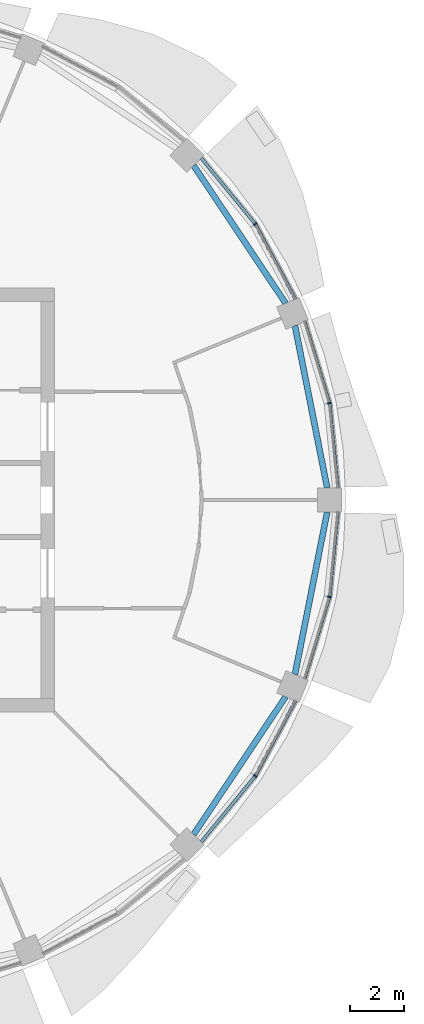
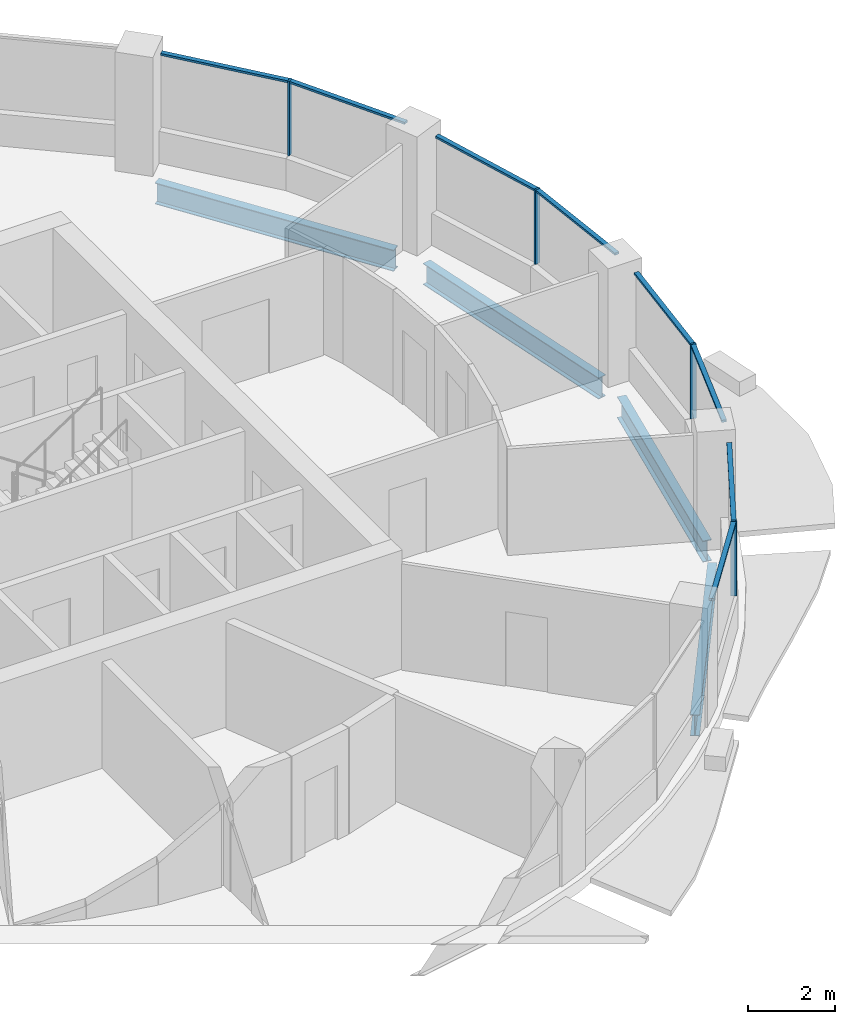
# One storey, part 5 of 15: 12 members, 4 beams, 4 elements without a shape of their own.
"""IFC4 building model written with IfcOpenShell, lengths in metres."""

from ifc_helpers import new_model, si_unit, direction, frame, origin, origin_2d, place, context, subcontext, project, spatial, rectangle, i_section, extrude, material, material_profile, profile_set, type_object, element, aggregate, save


model = new_model("IFC4")

# Units and contexts
model_context = context("Model", 3, precision=1e-05, world=origin(), true_north=direction((0.0, 1.0)))
body_context = subcontext(model_context, "Body", "Model", "MODEL_VIEW")
ifc_project = project(units=[si_unit("LENGTHUNIT", "METRE"), si_unit("AREAUNIT", "SQUARE_METRE"), si_unit("VOLUMEUNIT", "CUBIC_METRE"), si_unit("PLANEANGLEUNIT", "RADIAN"), si_unit("MASSUNIT", "GRAM", prefix="KILO")], contexts=[model_context])

# Site, building, storey
site_placement = place(None, origin())
site = spatial("IfcSite", under=ifc_project, at=site_placement, CompositionType="ELEMENT")
building_placement = place(site_placement, origin())
building = spatial("IfcBuilding", under=site, at=building_placement, Name="Polderwave Tower", CompositionType="ELEMENT")
storey_placement = place(building_placement, frame((0.0, 0.0, 174.25)))
storey = spatial("IfcBuildingStorey", under=building, at=storey_placement, Name="L46", CompositionType="ELEMENT", Elevation=174.25)

# Curtain wall, member
ifc_material_1 = material(Name="Aluminium 6063-T6 and glass", Category="aluminium")
curtain_wall_type = type_object("IfcCurtainWallType", Name="Office ribbon glazing wall", PredefinedType="NOTDEFINED", material=ifc_material_1)
curtain_wall_1_placement = place(storey_placement, origin())
curtain_wall_1 = element("IfcCurtainWall", 1, at=curtain_wall_1_placement, inside=storey, type_object=curtain_wall_type, Name="CW3 L46 00", PredefinedType="NOTDEFINED")
ifc_material_2 = material(Name="Aluminium 6063-T6", Category="aluminium")
ifc_material_profile_1 = material_profile(ifc_material_2, rectangle(XDim=0.139892578125, YDim=0.054931640625, at=origin_2d()), Name="AL 55x140")
ifc_profile_set_1 = profile_set([ifc_material_profile_1], Name="Aluminium 6063-T6")
member_type_1 = type_object("IfcMemberType", Name="Office ribbon glazing mullion 55x140", PredefinedType="MULLION", material=ifc_profile_set_1)
member_1_placement = place(storey_placement, frame((18.094970703125, 3.59912109375, 0.89990234375), z_axis=(0.0, 0.0, 1.0), x_axis=(-0.980783918392, -0.195097169184, 0.0)))
member_1 = element("IfcMember", 2, at=member_1_placement, type_object=member_type_1, Name="CW3 mullion 1", PredefinedType="MULLION", context=body_context, shape_type="SweptSolid", body=[
    extrude(rectangle(XDim=0.139892578125, YDim=0.054931640625, at=origin_2d()), origin(), (0.0, 0.0, 1.0), 2.10009765625),
])

curtain_wall_2_placement = place(storey_placement, origin())
curtain_wall_2 = element("IfcCurtainWall", 3, at=curtain_wall_2_placement, inside=storey, type_object=curtain_wall_type, Name="CW3 L46 01", PredefinedType="NOTDEFINED")
member_2_placement = place(storey_placement, frame((15.341064453125, 10.25, 0.89990234375), z_axis=(0.0, 0.0, 1.0), x_axis=(-0.831547176436, -0.555454132545, 0.0)))
member_2 = element("IfcMember", 4, at=member_2_placement, type_object=member_type_1, Name="CW3 mullion 1", PredefinedType="MULLION", context=body_context, shape_type="SweptSolid", body=[
    extrude(rectangle(XDim=0.139892578125, YDim=0.054931640625, at=origin_2d()), origin(), (0.0, 0.0, 1.0), 2.10009765625),
])

curtain_wall_3_placement = place(storey_placement, origin())
curtain_wall_3 = element("IfcCurtainWall", 5, at=curtain_wall_3_placement, inside=storey, type_object=curtain_wall_type, Name="CW3 L46 14", PredefinedType="NOTDEFINED")
member_3_placement = place(storey_placement, frame((15.341064453125, -10.25, 0.89990234375), z_axis=(0.0, 0.0, 1.0), x_axis=(-0.831547176436, 0.555454132545, 0.0)))
member_3 = element("IfcMember", 6, at=member_3_placement, type_object=member_type_1, Name="CW3 mullion 1", PredefinedType="MULLION", context=body_context, shape_type="SweptSolid", body=[
    extrude(rectangle(XDim=0.139892578125, YDim=0.054931640625, at=origin_2d()), origin(), (0.0, 0.0, 1.0), 2.10009765625),
])

curtain_wall_4_placement = place(storey_placement, origin())
curtain_wall_4 = element("IfcCurtainWall", 7, at=curtain_wall_4_placement, inside=storey, type_object=curtain_wall_type, Name="CW3 L46 15", PredefinedType="NOTDEFINED")
member_4_placement = place(storey_placement, frame((18.094970703125, -3.59912109375, 0.89990234375), z_axis=(0.0, 0.0, 1.0), x_axis=(-0.980783918392, 0.195097169184, 0.0)))
member_4 = element("IfcMember", 8, at=member_4_placement, type_object=member_type_1, Name="CW3 mullion 1", PredefinedType="MULLION", context=body_context, shape_type="SweptSolid", body=[
    extrude(rectangle(XDim=0.139892578125, YDim=0.054931640625, at=origin_2d()), origin(), (0.0, 0.0, 1.0), 2.10009765625),
])

# Member
ifc_material_profile_2 = material_profile(ifc_material_2, rectangle(XDim=0.1201171875, YDim=0.06005859375, at=origin_2d()), Name="AL 60x120")
ifc_profile_set_2 = profile_set([ifc_material_profile_2], Name="Aluminium 6063-T6")
member_type_2 = type_object("IfcMemberType", Name="Office ribbon glazing transom 60x120", PredefinedType="USERDEFINED", material=ifc_profile_set_2)
member_5_placement = place(storey_placement, frame((18.406005859375, 0.449951171875, 2.969970703125), z_axis=(-0.098301492731, 0.995156679386, 0.0), x_axis=(-0.995156679386, -0.098301492731, 0.0)))
member_5 = element("IfcMember", 9, at=member_5_placement, type_object=member_type_2, Name="CW3 transom 1", ObjectType="TRANSOM", PredefinedType="USERDEFINED", context=body_context, shape_type="SweptSolid", body=[
    extrude(rectangle(XDim=0.1201171875, YDim=0.06005859375, at=origin_2d()), origin(), (0.0, 0.0, 1.0), 3.13671875),
])

member_6_placement = place(storey_placement, frame((18.0869140625, 3.625244140625, 2.969970703125), z_axis=(-0.29000955494, 0.957023749989, 0.0), x_axis=(-0.957023749989, -0.29000955494, 0.0)))
member_6 = element("IfcMember", 10, at=member_6_placement, type_object=member_type_2, Name="CW3 transom 2", ObjectType="TRANSOM", PredefinedType="USERDEFINED", context=body_context, shape_type="SweptSolid", body=[
    extrude(rectangle(XDim=0.1201171875, YDim=0.06005859375, at=origin_2d()), origin(), (0.0, 0.0, 1.0), 3.137451171875),
])

aggregate(curtain_wall_1, [member_1, member_5, member_6])

member_7_placement = place(storey_placement, frame((16.83203125, 7.458984375, 2.969970703125), z_axis=(-0.471210255925, 0.882020915121, 0.0), x_axis=(-0.882020915121, -0.471210255925, 0.0)))
member_7 = element("IfcMember", 11, at=member_7_placement, type_object=member_type_2, Name="CW3 transom 1", ObjectType="TRANSOM", PredefinedType="USERDEFINED", context=body_context, shape_type="SweptSolid", body=[
    extrude(rectangle(XDim=0.1201171875, YDim=0.06005859375, at=origin_2d()), origin(), (0.0, 0.0, 1.0), 3.13671875),
])

member_8_placement = place(storey_placement, frame((15.323486328125, 10.271240234375, 2.969970703125), z_axis=(-0.634334495686, 0.773058696079, 0.0), x_axis=(-0.773058696079, -0.634334495686, 0.0)))
member_8 = element("IfcMember", 12, at=member_8_placement, type_object=member_type_2, Name="CW3 transom 2", ObjectType="TRANSOM", PredefinedType="USERDEFINED", context=body_context, shape_type="SweptSolid", body=[
    extrude(rectangle(XDim=0.1201171875, YDim=0.06005859375, at=origin_2d()), origin(), (0.0, 0.0, 1.0), 3.137939453125),
])

aggregate(curtain_wall_2, [member_2, member_7, member_8])

member_9_placement = place(storey_placement, frame((13.3330078125, -12.697021484375, 2.969970703125), z_axis=(0.634334495686, 0.773058696079, 0.0), x_axis=(-0.773058696079, 0.634334495686, 0.0)))
member_9 = element("IfcMember", 13, at=member_9_placement, type_object=member_type_2, Name="CW3 transom 1", ObjectType="TRANSOM", PredefinedType="USERDEFINED", context=body_context, shape_type="SweptSolid", body=[
    extrude(rectangle(XDim=0.1201171875, YDim=0.06005859375, at=origin_2d()), origin(), (0.0, 0.0, 1.0), 3.137939453125),
])

member_10_placement = place(storey_placement, frame((15.35400390625, -10.2255859375, 2.969970703125), z_axis=(0.471210255925, 0.882020915121, 0.0), x_axis=(-0.882020915121, 0.471210255925, 0.0)))
member_10 = element("IfcMember", 14, at=member_10_placement, type_object=member_type_2, Name="CW3 transom 2", ObjectType="TRANSOM", PredefinedType="USERDEFINED", context=body_context, shape_type="SweptSolid", body=[
    extrude(rectangle(XDim=0.1201171875, YDim=0.06005859375, at=origin_2d()), origin(), (0.0, 0.0, 1.0), 3.13671875),
])

aggregate(curtain_wall_3, [member_3, member_9, member_10])

member_11_placement = place(storey_placement, frame((17.177001953125, -6.6279296875, 2.969970703125), z_axis=(0.29000955494, 0.957023749989, 0.0), x_axis=(-0.957023749989, 0.29000955494, 0.0)))
member_11 = element("IfcMember", 15, at=member_11_placement, type_object=member_type_2, Name="CW3 transom 1", ObjectType="TRANSOM", PredefinedType="USERDEFINED", context=body_context, shape_type="SweptSolid", body=[
    extrude(rectangle(XDim=0.1201171875, YDim=0.06005859375, at=origin_2d()), origin(), (0.0, 0.0, 1.0), 3.137451171875),
])

member_12_placement = place(storey_placement, frame((18.09765625, -3.571533203125, 2.969970703125), z_axis=(0.098301492731, 0.995156679386, 0.0), x_axis=(-0.995156679386, 0.098301492731, 0.0)))
member_12 = element("IfcMember", 16, at=member_12_placement, type_object=member_type_2, Name="CW3 transom 2", ObjectType="TRANSOM", PredefinedType="USERDEFINED", context=body_context, shape_type="SweptSolid", body=[
    extrude(rectangle(XDim=0.1201171875, YDim=0.06005859375, at=origin_2d()), origin(), (0.0, 0.0, 1.0), 3.13671875),
])

aggregate(curtain_wall_4, [member_4, member_11, member_12])

# Beams
ifc_material_3 = material(Name="Steel S355", Category="steel")
ifc_material_profile_3 = material_profile(ifc_material_3, i_section(OverallWidth=0.219970703125, OverallDepth=0.60009765625, WebThickness=0.011962890625, FlangeThickness=0.01904296875, at=origin_2d()), Name="IPE 600")
ifc_profile_set_3 = profile_set([ifc_material_profile_3], Name="Steel S355")
beam_type = type_object("IfcBeamType", Name="RING BEAM IPE 600", PredefinedType="BEAM", material=ifc_profile_set_3)
for number, where, z_axis, x_axis, name in (
    (17, (18.010498046875, 0.449951171875, -0.64990234375), (-0.195084520666, 0.980786434346, 0.0), (-0.980786434346, -0.195084520666, 0.0), "ST-RB-L46-00"),
    (18, (16.46728515625, 7.30810546875, -0.64990234375), (-0.555570937424, 0.831469141634, 0.0), (-0.831469141634, -0.555570937424, 0.0), "ST-RB-L46-01"),
    (19, (13.053466796875, -12.417236328125, -0.64990234375), (0.555570937424, 0.831469141634, 0.0), (-0.831469141634, 0.555570937424, 0.0), "ST-RB-L46-14"),
    (20, (16.811767578125, -6.4765625, -0.64990234375), (0.195084520666, 0.980786434346, 0.0), (-0.980786434346, 0.195084520666, 0.0), "ST-RB-L46-15"),
):
    element("IfcBeam", number, at=place(storey_placement, frame(where, z_axis=z_axis, x_axis=x_axis)), inside=storey, type_object=beam_type, Name=name, PredefinedType="BEAM", context=body_context, shape_type="SweptSolid", body=[
        extrude(i_section(OverallWidth=0.219970703125, OverallDepth=0.60009765625, WebThickness=0.011962890625, FlangeThickness=0.01904296875, at=origin_2d()), origin(), (0.0, 0.0, 1.0), 6.144775390625),
    ])

save(model, "model.ifc")
